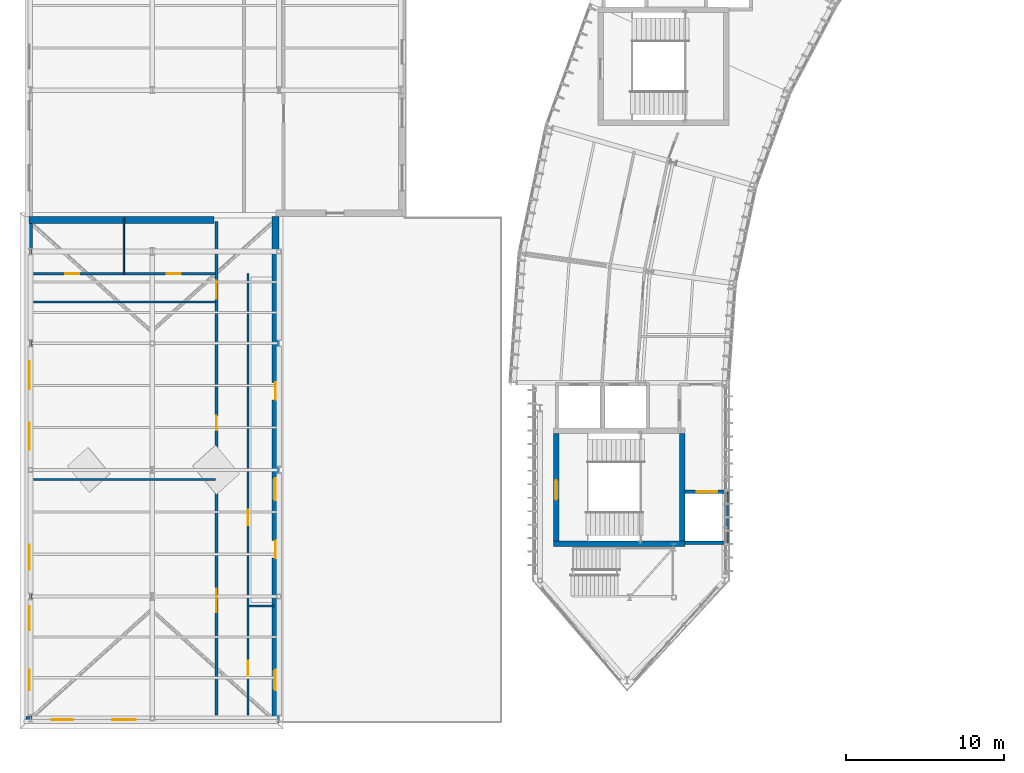
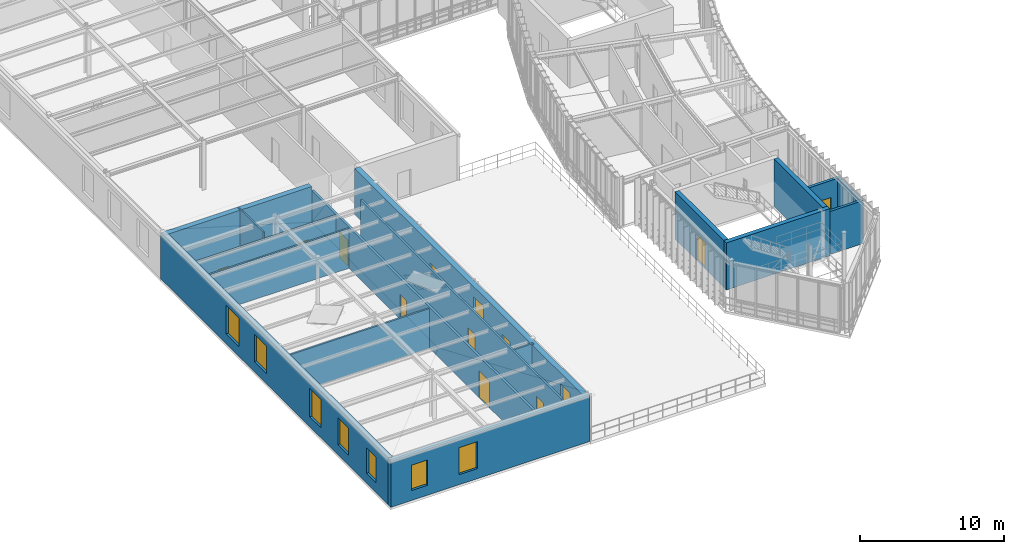
# One storey, part 38 of 52: 17 walls, 11 doors, 9 windows, 20 openings.
"""IFC4 building model written with IfcOpenShell, lengths in metres."""

import ifcopenshell
import ifcopenshell.guid

model = None  # the IFC model being written
_history = None  # IfcOwnerHistory: only IFC2X3 demands one
_inside = {}  # id of a spatial element -> (the spatial element, [elements in it])
_under = {}  # id of a project, library or spatial element -> (it, [spatial elements below it])
_declared = {}  # id of a project -> (the project, [libraries it declares])
_typed = {}  # id of a type object -> (the type object, [elements of that type])
_made_of = {}  # id of a material, layer set ... -> (it, [elements and type objects made of it])


def new_model(schema):
    """Start an empty IFC model of exactly this schema.

    Asked for "IFC4X3", IfcOpenShell would pick the latest addendum, in which some entities
    have other attributes; the version numbers below select the first issue.
    IFC2X3 requires an IfcOwnerHistory on every rooted entity: one is made here for all.
    """
    global model, _history
    if schema == "IFC4X3":
        model = ifcopenshell.file(schema_version=(4, 3, 0, 0))
    else:
        model = ifcopenshell.file(schema=schema)
    _inside.clear()
    _under.clear()
    _declared.clear()
    _typed.clear()
    _made_of.clear()
    _history = None
    if model.schema == "IFC2X3":
        org = make("IfcOrganization", Name="unknown")
        user = make(
            "IfcPersonAndOrganization",
            ThePerson=make("IfcPerson", FamilyName="unknown"),
            TheOrganization=org,
        )
        app = make(
            "IfcApplication",
            ApplicationDeveloper=org,
            Version="unknown",
            ApplicationFullName="unknown",
            ApplicationIdentifier="unknown",
        )
        _history = make(
            "IfcOwnerHistory",
            OwningUser=user,
            OwningApplication=app,
            ChangeAction="ADDED",
            CreationDate=0,
        )
    return model


def make(cls, **values):
    """One entity of the class cls with the attributes given. An attribute that is None is left unset."""
    return model.create_entity(
        cls, **{name: value for name, value in values.items() if value is not None}
    )


def rooted(cls, **values):
    """An entity with a GlobalId (a new one), such as an element, a storey or a relation."""
    return make(cls, GlobalId=ifcopenshell.guid.new(), OwnerHistory=_history, **values)


def si_unit(unit_type, name, prefix=None):
    """IfcSIUnit, for example si_unit("LENGTHUNIT", "METRE", prefix="MILLI")."""
    return make("IfcSIUnit", UnitType=unit_type, Prefix=prefix, Name=name)


def assignment(units):
    """IfcUnitAssignment: the units of a project."""
    return None if units is None else make("IfcUnitAssignment", Units=units)


def point(xyz):
    """IfcCartesianPoint."""
    return None if xyz is None else make("IfcCartesianPoint", Coordinates=xyz)


def direction(xyz):
    """IfcDirection."""
    return None if xyz is None else make("IfcDirection", DirectionRatios=xyz)


def frame(location, z_axis=None, x_axis=None):
    """IfcAxis2Placement3D, a coordinate frame: its origin and axes. An axis left out is left unset."""
    return make(
        "IfcAxis2Placement3D",
        Location=point(location),
        Axis=direction(z_axis),
        RefDirection=direction(x_axis),
    )


def frame_2d(location, x_axis=None):
    """IfcAxis2Placement2D, a coordinate frame in the plane: its origin and x axis."""
    return make(
        "IfcAxis2Placement2D", Location=point(location), RefDirection=direction(x_axis)
    )


def origin():
    """The frame at (0, 0, 0) with its axes left unset."""
    return frame((0.0, 0.0, 0.0))


def place(relative_to, where):
    """IfcLocalPlacement: puts the frame where relative to a parent placement (None: the world)."""
    return make(
        "IfcLocalPlacement", PlacementRelTo=relative_to, RelativePlacement=where
    )


def context(
    kind, dimensions, precision=None, world=None, true_north=None, identifier=None
):
    """IfcGeometricRepresentationContext, for example the 3D "Model" context."""
    return make(
        "IfcGeometricRepresentationContext",
        ContextIdentifier=identifier,
        ContextType=kind,
        CoordinateSpaceDimension=dimensions,
        Precision=precision,
        WorldCoordinateSystem=world,
        TrueNorth=true_north,
    )


def subcontext(parent, identifier, kind, view, scale=None):
    """IfcGeometricRepresentationSubContext, for example "Body" below "Model"."""
    return make(
        "IfcGeometricRepresentationSubContext",
        ContextIdentifier=identifier,
        ContextType=kind,
        ParentContext=parent,
        TargetScale=scale,
        TargetView=view,
    )


def project(units=None, contexts=None):
    """IfcProject with its units and contexts."""
    return rooted(
        "IfcProject",
        Name="project",
        RepresentationContexts=contexts,
        UnitsInContext=assignment(units),
    )


def spatial(cls, under=None, at=None, **own):
    """A site, building, storey or space (cls), placed at a placement, below another one or the project."""
    s = rooted(cls, ObjectPlacement=at, **own)
    if under is not None:
        _under.setdefault(under.id(), (under, []))[1].append(s)
    return s


def profile(cls, at=None, kind="AREA", **sizes):
    """A parametric profile (cls). Its sizes go by their IFC names, for example OverallWidth=200.0."""
    return make(cls, ProfileType=kind, Position=at, **sizes)


def rectangle(**sizes):
    """IfcRectangleProfileDef."""
    return profile("IfcRectangleProfileDef", **sizes)


def extrude(swept, where, along, depth):
    """IfcExtrudedAreaSolid: the profile swept, set in the frame where, extruded along a direction by depth."""
    return make(
        "IfcExtrudedAreaSolid",
        SweptArea=swept,
        Position=where,
        ExtrudedDirection=direction(along),
        Depth=depth,
    )


def shape(context_of_items, identifier, shape_type, items):
    """IfcShapeRepresentation: the items that make up one representation, for example the "Body"."""
    return make(
        "IfcShapeRepresentation",
        ContextOfItems=context_of_items,
        RepresentationIdentifier=identifier,
        RepresentationType=shape_type,
        Items=items,
    )


def material(Name=None, Category=None):
    """IfcMaterial."""
    return make("IfcMaterial", Name=Name, Category=Category)


def layer(
    of_material, thickness, ventilated=None, Name=None, Category=None, Priority=None
):
    """IfcMaterialLayer: one layer of a wall or slab, of a material (None: an air gap)."""
    return make(
        "IfcMaterialLayer",
        Material=of_material,
        LayerThickness=thickness,
        IsVentilated=ventilated,
        Name=Name,
        Category=Category,
        Priority=Priority,
    )


def layer_set(layers, Name=None):
    """IfcMaterialLayerSet."""
    return make("IfcMaterialLayerSet", MaterialLayers=layers, LayerSetName=Name)


def made_of(thing, what):
    """Note that an element or type object is made of a material, layer set ...; save() writes the relation."""
    if what is not None:
        _made_of.setdefault(what.id(), (what, []))[1].append(thing)
    return thing


def type_object(cls, material=None, **own):
    """A type object (cls), such as IfcWallType, which elements share."""
    return made_of(rooted(cls, **own), material)


def element(
    cls,
    number,
    at=None,
    inside=None,
    cuts=None,
    type_object=None,
    material=None,
    context=None,
    identifier="Body",
    shape_type=None,
    held_by="IfcProductDefinitionShape",
    body=None,
    shapes=None,
    **own,
):
    """One element of the class cls, such as IfcWall. Its Tag is "e" and its number.

    at: its placement. inside: the storey or other place that contains it. cuts: it is an
    opening in that element (IfcRelVoidsElement). A single representation is given by context,
    identifier, shape_type and body (its items); several are given by shapes. held_by: the class
    of the entity that holds the representations. save() writes the other relations.
    """
    e = rooted(cls, Tag="e%d" % number, ObjectPlacement=at, **own)
    if body is not None:
        shapes = [shape(context, identifier, shape_type, body)]
    if shapes is not None:
        e.Representation = make(held_by, Representations=shapes)
    if inside is not None:
        _inside.setdefault(inside.id(), (inside, []))[1].append(e)
    if cuts is not None:
        rooted(
            "IfcRelVoidsElement", RelatingBuildingElement=cuts, RelatedOpeningElement=e
        )
    if type_object is not None:
        _typed.setdefault(type_object.id(), (type_object, []))[1].append(e)
    return made_of(e, material)


def fill(opening, filler):
    """IfcRelFillsElement: the door or window that sits in an opening."""
    return rooted(
        "IfcRelFillsElement",
        RelatingOpeningElement=opening,
        RelatedBuildingElement=filler,
    )


def aggregate(whole, parts):
    """IfcRelAggregates: a whole, such as a stair, and the parts it consists of."""
    return rooted("IfcRelAggregates", RelatingObject=whole, RelatedObjects=parts)


def save(model, path):
    """Write the relations noted so far, then the file.

    IfcRelAggregates (storeys below a building ...), IfcRelContainedInSpatialStructure (elements
    in a storey), IfcRelDefinesByType, IfcRelAssociatesMaterial and IfcRelDeclares: one each for
    every whole, place, type object, material and project.
    """
    for whole, parts in _under.values():
        aggregate(whole, parts)
    for where, things in _inside.values():
        rooted(
            "IfcRelContainedInSpatialStructure",
            RelatedElements=things,
            RelatingStructure=where,
        )
    for kind, things in _typed.values():
        rooted("IfcRelDefinesByType", RelatedObjects=things, RelatingType=kind)
    for what, things in _made_of.values():
        rooted("IfcRelAssociatesMaterial", RelatedObjects=things, RelatingMaterial=what)
    for by, libraries in _declared.values():
        rooted("IfcRelDeclares", RelatingContext=by, RelatedDefinitions=libraries)
    model.write(path)


model = new_model("IFC4")

# Units and contexts
model_context = context("Model", 3, precision=1e-05, world=origin(), true_north=direction((0.0, 1.0)))
body_context = subcontext(model_context, "Body", "Model", "MODEL_VIEW")
ifc_project = project(units=[si_unit("LENGTHUNIT", "METRE"), si_unit("AREAUNIT", "SQUARE_METRE"), si_unit("VOLUMEUNIT", "CUBIC_METRE"), si_unit("PLANEANGLEUNIT", "RADIAN"), si_unit("MASSUNIT", "GRAM", prefix="KILO"), si_unit("THERMODYNAMICTEMPERATUREUNIT", "KELVIN"), si_unit("POWERUNIT", "WATT")], contexts=[model_context])

# Site, building, storey
site_placement = place(None, origin())
site = spatial("IfcSite", under=ifc_project, at=site_placement, CompositionType="ELEMENT")
building_placement = place(site_placement, origin())
building = spatial("IfcBuilding", under=site, at=building_placement, Name="Solvatero Civic Police Headquarters", CompositionType="ELEMENT")
storey_placement = place(building_placement, frame((0.0, 0.0, 13.5)))
storey = spatial("IfcBuildingStorey", under=building, at=storey_placement, Name="L03", CompositionType="ELEMENT", Elevation=13.5)

# Wall, openings, windows
ifc_material_1 = material(Name="Cream Limestone Ashlar", Category="masonry")
ifc_layer_1 = layer(ifc_material_1, 0.419921875)
ifc_layer_set_1 = layer_set([ifc_layer_1], Name="Cream Limestone Ashlar")
wall_type_1 = type_object("IfcWallType", Name="WL-EXT-LIME-420", PredefinedType="SOLIDWALL", material=ifc_layer_set_1)
wall_1_placement = place(storey_placement, frame((4.510009765625, 4.719970703125, 0.0), z_axis=(0.0, 0.0, 1.0), x_axis=(1.0, 0.0, 0.0)))
wall_1 = element("IfcWall", 1, at=wall_1_placement, inside=storey, type_object=wall_type_1, Name="Exterior Wall WLE-L03-V4-S", PredefinedType="SOLIDWALL", context=body_context, shape_type="SweptSolid", body=[
    extrude(rectangle(XDim=15.97998046875, YDim=0.419921875, at=frame_2d((7.989990234375, 0.0))), origin(), (0.0, 0.0, 1.0), 3.89990234375),
])
opening_1_placement = place(wall_1_placement, frame((1.64990234375, 0.0, 0.85009765625)))
opening_1 = element("IfcOpeningElement", 2, at=opening_1_placement, cuts=wall_1, Name="Opening W-13", PredefinedType="OPENING", context=body_context, shape_type="SweptSolid", body=[
    extrude(rectangle(XDim=1.300048828125, YDim=2.14990234375, at=frame_2d((0.64990234375, 1.074951171875))), frame((0.0, 0.219970703125, 0.0), z_axis=(0.0, -1.0, 0.0), x_axis=(1.0, 0.0, 0.0)), (0.0, 0.0, 1.0), 0.43994140625),
])
opening_2_placement = place(wall_1_placement, frame((5.449951171875, 0.0, 0.85009765625)))
opening_2 = element("IfcOpeningElement", 3, at=opening_2_placement, cuts=wall_1, Name="Opening W-03", PredefinedType="OPENING", context=body_context, shape_type="SweptSolid", body=[
    extrude(rectangle(XDim=1.5, YDim=2.300048828125, at=frame_2d((0.75, 1.14990234375))), frame((0.0, 0.219970703125, 0.0), z_axis=(0.0, -1.0, 0.0), x_axis=(1.0, 0.0, 0.0)), (0.0, 0.0, 1.0), 0.43994140625),
])
ifc_material_2 = material(Name="Anodized Bronze Aluminium", Category="aluminium")
window_type_1 = type_object("IfcWindowType", Name="WN-CL-130x215", PartitioningType="SINGLE_PANEL", PredefinedType="WINDOW", material=ifc_material_2)
window_1_placement = place(opening_1_placement, origin())
window_1 = element("IfcWindow", 4, at=window_1_placement, inside=storey, type_object=window_type_1, Name="Exterior Window 0040", OverallHeight=2.14990234375, OverallWidth=1.300048828125, PartitioningType="SINGLE_PANEL", PredefinedType="WINDOW", context=body_context, shape_type="SweptSolid", body=[
    extrude(rectangle(XDim=1.300048828125, YDim=2.14990234375, at=frame_2d((0.64990234375, 1.074951171875))), frame((0.0, 0.030029296875, 0.0), z_axis=(0.0, -1.0, 0.0), x_axis=(1.0, 0.0, 0.0)), (0.0, 0.0, 1.0), 0.06005859375),
])
fill(opening_1, window_1)
window_type_2 = type_object("IfcWindowType", Name="WN-CL-150x230", PartitioningType="SINGLE_PANEL", PredefinedType="WINDOW", material=ifc_material_2)
window_2_placement = place(opening_2_placement, origin())
window_2 = element("IfcWindow", 5, at=window_2_placement, inside=storey, type_object=window_type_2, Name="Exterior Window 0041", OverallHeight=2.300048828125, OverallWidth=1.5, PartitioningType="SINGLE_PANEL", PredefinedType="WINDOW", context=body_context, shape_type="SweptSolid", body=[
    extrude(rectangle(XDim=1.5, YDim=2.300048828125, at=frame_2d((0.75, 1.14990234375))), frame((0.0, 0.030029296875, 0.0), z_axis=(0.0, -1.0, 0.0), x_axis=(1.0, 0.0, 0.0)), (0.0, 0.0, 1.0), 0.06005859375),
])
fill(opening_2, window_2)

wall_2_placement = place(storey_placement, frame((4.719970703125, 4.929931640625, 0.0), z_axis=(0.0, 0.0, 1.0), x_axis=(0.0, 1.0, 0.0)))
wall_2 = element("IfcWall", 6, at=wall_2_placement, inside=storey, type_object=wall_type_1, Name="Exterior Wall WLE-L03-V4-W", PredefinedType="SOLIDWALL", context=body_context, shape_type="SweptSolid", body=[
    extrude(rectangle(XDim=31.570068359375, YDim=0.419921875, at=frame_2d((15.78515625, 0.0))), origin(), (0.0, 0.0, 1.0), 3.89990234375),
])
opening_3_placement = place(wall_2_placement, frame((1.64990234375, 0.0, 0.85009765625)))
opening_3 = element("IfcOpeningElement", 7, at=opening_3_placement, cuts=wall_2, Name="Opening W-13", PredefinedType="OPENING", context=body_context, shape_type="SweptSolid", body=[
    extrude(rectangle(XDim=1.300048828125, YDim=2.14990234375, at=frame_2d((0.64990234375, 1.074951171875))), frame((0.0, 0.219970703125, 0.0), z_axis=(0.0, -1.0, 0.0), x_axis=(1.0, 0.0, 0.0)), (0.0, 0.0, 1.0), 0.43994140625),
])
opening_4_placement = place(wall_2_placement, frame((5.449951171875, 0.0, 0.85009765625)))
opening_4 = element("IfcOpeningElement", 8, at=opening_4_placement, cuts=wall_2, Name="Opening W-03", PredefinedType="OPENING", context=body_context, shape_type="SweptSolid", body=[
    extrude(rectangle(XDim=1.5, YDim=2.300048828125, at=frame_2d((0.75, 1.14990234375))), frame((0.0, 0.219970703125, 0.0), z_axis=(0.0, -1.0, 0.0), x_axis=(1.0, 0.0, 0.0)), (0.0, 0.0, 1.0), 0.43994140625),
])
opening_5_placement = place(wall_2_placement, frame((9.25, 0.0, 0.85009765625)))
opening_5 = element("IfcOpeningElement", 9, at=opening_5_placement, cuts=wall_2, Name="Opening W-04", PredefinedType="OPENING", context=body_context, shape_type="SweptSolid", body=[
    extrude(rectangle(XDim=1.60009765625, YDim=2.39990234375, at=frame_2d((0.800048828125, 1.199951171875))), frame((0.0, 0.219970703125, 0.0), z_axis=(0.0, -1.0, 0.0), x_axis=(1.0, 0.0, 0.0)), (0.0, 0.0, 1.0), 0.43994140625),
])
opening_6_placement = place(wall_2_placement, frame((16.85009765625, 0.0, 0.85009765625)))
opening_6 = element("IfcOpeningElement", 10, at=opening_6_placement, cuts=wall_2, Name="Opening W-14", PredefinedType="OPENING", context=body_context, shape_type="SweptSolid", body=[
    extrude(rectangle(XDim=1.699951171875, YDim=2.35009765625, at=frame_2d((0.85009765625, 1.175048828125))), frame((0.0, 0.219970703125, 0.0), z_axis=(0.0, -1.0, 0.0), x_axis=(1.0, 0.0, 0.0)), (0.0, 0.0, 1.0), 0.43994140625),
])
opening_7_placement = place(wall_2_placement, frame((20.64990234375, 0.0, 0.85009765625)))
opening_7 = element("IfcOpeningElement", 11, at=opening_7_placement, cuts=wall_2, Name="Opening W-05", PredefinedType="OPENING", context=body_context, shape_type="SweptSolid", body=[
    extrude(rectangle(XDim=1.800048828125, YDim=2.39990234375, at=frame_2d((0.89990234375, 1.199951171875))), frame((0.0, 0.219970703125, 0.0), z_axis=(0.0, -1.0, 0.0), x_axis=(1.0, 0.0, 0.0)), (0.0, 0.0, 1.0), 0.43994140625),
])
window_3_placement = place(opening_3_placement, origin())
window_3 = element("IfcWindow", 12, at=window_3_placement, inside=storey, type_object=window_type_1, Name="Exterior Window 0042", OverallHeight=2.14990234375, OverallWidth=1.300048828125, PartitioningType="SINGLE_PANEL", PredefinedType="WINDOW", context=body_context, shape_type="SweptSolid", body=[
    extrude(rectangle(XDim=1.300048828125, YDim=2.14990234375, at=frame_2d((0.64990234375, 1.074951171875))), frame((0.0, 0.030029296875, 0.0), z_axis=(0.0, -1.0, 0.0), x_axis=(1.0, 0.0, 0.0)), (0.0, 0.0, 1.0), 0.06005859375),
])
fill(opening_3, window_3)
window_4_placement = place(opening_4_placement, origin())
window_4 = element("IfcWindow", 13, at=window_4_placement, inside=storey, type_object=window_type_2, Name="Exterior Window 0043", OverallHeight=2.300048828125, OverallWidth=1.5, PartitioningType="SINGLE_PANEL", PredefinedType="WINDOW", context=body_context, shape_type="SweptSolid", body=[
    extrude(rectangle(XDim=1.5, YDim=2.300048828125, at=frame_2d((0.75, 1.14990234375))), frame((0.0, 0.030029296875, 0.0), z_axis=(0.0, -1.0, 0.0), x_axis=(1.0, 0.0, 0.0)), (0.0, 0.0, 1.0), 0.06005859375),
])
fill(opening_4, window_4)
window_type_3 = type_object("IfcWindowType", Name="WN-CL-160x240", PartitioningType="SINGLE_PANEL", PredefinedType="WINDOW", material=ifc_material_2)
window_5_placement = place(opening_5_placement, origin())
window_5 = element("IfcWindow", 14, at=window_5_placement, inside=storey, type_object=window_type_3, Name="Exterior Window 0044", OverallHeight=2.39990234375, OverallWidth=1.60009765625, PartitioningType="SINGLE_PANEL", PredefinedType="WINDOW", context=body_context, shape_type="SweptSolid", body=[
    extrude(rectangle(XDim=1.60009765625, YDim=2.39990234375, at=frame_2d((0.800048828125, 1.199951171875))), frame((0.0, 0.030029296875, 0.0), z_axis=(0.0, -1.0, 0.0), x_axis=(1.0, 0.0, 0.0)), (0.0, 0.0, 1.0), 0.06005859375),
])
fill(opening_5, window_5)
window_type_4 = type_object("IfcWindowType", Name="WN-CL-170x235", PartitioningType="SINGLE_PANEL", PredefinedType="WINDOW", material=ifc_material_2)
window_6_placement = place(opening_6_placement, origin())
window_6 = element("IfcWindow", 15, at=window_6_placement, inside=storey, type_object=window_type_4, Name="Exterior Window 0045", OverallHeight=2.35009765625, OverallWidth=1.699951171875, PartitioningType="SINGLE_PANEL", PredefinedType="WINDOW", context=body_context, shape_type="SweptSolid", body=[
    extrude(rectangle(XDim=1.699951171875, YDim=2.35009765625, at=frame_2d((0.85009765625, 1.175048828125))), frame((0.0, 0.030029296875, 0.0), z_axis=(0.0, -1.0, 0.0), x_axis=(1.0, 0.0, 0.0)), (0.0, 0.0, 1.0), 0.06005859375),
])
fill(opening_6, window_6)
window_type_5 = type_object("IfcWindowType", Name="WN-CL-180x240", PartitioningType="SINGLE_PANEL", PredefinedType="WINDOW", material=ifc_material_2)
window_7_placement = place(opening_7_placement, origin())
window_7 = element("IfcWindow", 16, at=window_7_placement, inside=storey, type_object=window_type_5, Name="Exterior Window 0046", OverallHeight=2.39990234375, OverallWidth=1.800048828125, PartitioningType="SINGLE_PANEL", PredefinedType="WINDOW", context=body_context, shape_type="SweptSolid", body=[
    extrude(rectangle(XDim=1.800048828125, YDim=2.39990234375, at=frame_2d((0.89990234375, 1.199951171875))), frame((0.0, 0.030029296875, 0.0), z_axis=(0.0, -1.0, 0.0), x_axis=(1.0, 0.0, 0.0)), (0.0, 0.0, 1.0), 0.06005859375),
])
fill(opening_7, window_7)

# Wall, openings, doors, windows
wall_3_placement = place(storey_placement, frame((20.280029296875, 4.929931640625, 0.0), z_axis=(0.0, 0.0, 1.0), x_axis=(0.0, 1.0, 0.0)))
wall_3 = element("IfcWall", 17, at=wall_3_placement, inside=storey, type_object=wall_type_1, Name="Exterior Wall WLE-L03-V4-E", PredefinedType="SOLIDWALL", context=body_context, shape_type="SweptSolid", body=[
    extrude(rectangle(XDim=31.570068359375, YDim=0.419921875, at=frame_2d((15.78515625, 0.0))), origin(), (0.0, 0.0, 1.0), 3.89990234375),
])
opening_8_placement = place(wall_3_placement, frame((11.10009765625, 0.0, 0.0), z_axis=(0.0, 0.0, 1.0), x_axis=(-1.0, 0.0, 0.0)))
opening_8 = element("IfcOpeningElement", 18, at=opening_8_placement, cuts=wall_3, Name="Opening ED-02", PredefinedType="OPENING", context=body_context, shape_type="SweptSolid", body=[
    extrude(rectangle(XDim=1.10009765625, YDim=2.25, at=frame_2d((0.550048828125, 1.125))), frame((0.0, 0.219970703125, 0.0), z_axis=(0.0, -1.0, 0.0), x_axis=(1.0, 0.0, 0.0)), (0.0, 0.0, 1.0), 0.43994140625),
])
opening_9_placement = place(wall_3_placement, frame((21.10009765625, 0.0, 0.0), z_axis=(0.0, 0.0, 1.0), x_axis=(-1.0, 0.0, 0.0)))
opening_9 = element("IfcOpeningElement", 19, at=opening_9_placement, cuts=wall_3, Name="Opening ED-02", PredefinedType="OPENING", context=body_context, shape_type="SweptSolid", body=[
    extrude(rectangle(XDim=1.10009765625, YDim=2.25, at=frame_2d((0.550048828125, 1.125))), frame((0.0, 0.219970703125, 0.0), z_axis=(0.0, -1.0, 0.0), x_axis=(1.0, 0.0, 0.0)), (0.0, 0.0, 1.0), 0.43994140625),
])
opening_10_placement = place(wall_3_placement, frame((1.64990234375, 0.0, 0.85009765625)))
opening_10 = element("IfcOpeningElement", 20, at=opening_10_placement, cuts=wall_3, Name="Opening W-13", PredefinedType="OPENING", context=body_context, shape_type="SweptSolid", body=[
    extrude(rectangle(XDim=1.300048828125, YDim=2.14990234375, at=frame_2d((0.64990234375, 1.074951171875))), frame((0.0, 0.219970703125, 0.0), z_axis=(0.0, -1.0, 0.0), x_axis=(1.0, 0.0, 0.0)), (0.0, 0.0, 1.0), 0.43994140625),
])
opening_11_placement = place(wall_3_placement, frame((13.64990234375, 0.0, 0.85009765625)))
opening_11 = element("IfcOpeningElement", 21, at=opening_11_placement, cuts=wall_3, Name="Opening W-02", PredefinedType="OPENING", context=body_context, shape_type="SweptSolid", body=[
    extrude(rectangle(XDim=1.39990234375, YDim=2.199951171875, at=frame_2d((0.699951171875, 1.10009765625))), frame((0.0, 0.219970703125, 0.0), z_axis=(0.0, -1.0, 0.0), x_axis=(1.0, 0.0, 0.0)), (0.0, 0.0, 1.0), 0.43994140625),
])
ifc_material_3 = material(Name="Anodized Bronze Aluminium and Laminated Glass", Category="aluminium")
door_type_1 = type_object("IfcDoorType", Name="DR-EXT-110x225", OperationType="NOTDEFINED", PredefinedType="DOOR", material=ifc_material_3)
door_1_placement = place(opening_8_placement, origin())
door_1 = element("IfcDoor", 22, at=door_1_placement, inside=storey, type_object=door_type_1, Name="Exterior Door DR-L03-TRG4-1", OperationType="SINGLE_SWING_LEFT", OverallHeight=2.25, OverallWidth=1.10009765625, PredefinedType="DOOR", context=body_context, shape_type="SweptSolid", body=[
    extrude(rectangle(XDim=1.10009765625, YDim=2.25, at=frame_2d((0.550048828125, 1.125))), frame((0.0, 0.02490234375, 0.0), z_axis=(0.0, -1.0, 0.0), x_axis=(1.0, 0.0, 0.0)), (0.0, 0.0, 1.0), 0.050048828125),
])
fill(opening_8, door_1)
door_2_placement = place(opening_9_placement, origin())
door_2 = element("IfcDoor", 23, at=door_2_placement, inside=storey, type_object=door_type_1, Name="Exterior Door DR-L03-TRG4-2", OperationType="SINGLE_SWING_RIGHT", OverallHeight=2.25, OverallWidth=1.10009765625, PredefinedType="DOOR", context=body_context, shape_type="SweptSolid", body=[
    extrude(rectangle(XDim=1.10009765625, YDim=2.25, at=frame_2d((0.550048828125, 1.125))), frame((0.0, 0.02490234375, 0.0), z_axis=(0.0, -1.0, 0.0), x_axis=(1.0, 0.0, 0.0)), (0.0, 0.0, 1.0), 0.050048828125),
])
fill(opening_9, door_2)
window_8_placement = place(opening_10_placement, origin())
window_8 = element("IfcWindow", 24, at=window_8_placement, inside=storey, type_object=window_type_1, Name="Exterior Window 0047", OverallHeight=2.14990234375, OverallWidth=1.300048828125, PartitioningType="SINGLE_PANEL", PredefinedType="WINDOW", context=body_context, shape_type="SweptSolid", body=[
    extrude(rectangle(XDim=1.300048828125, YDim=2.14990234375, at=frame_2d((0.64990234375, 1.074951171875))), frame((0.0, 0.030029296875, 0.0), z_axis=(0.0, -1.0, 0.0), x_axis=(1.0, 0.0, 0.0)), (0.0, 0.0, 1.0), 0.06005859375),
])
fill(opening_10, window_8)
window_type_6 = type_object("IfcWindowType", Name="WN-CL-140x220", PartitioningType="SINGLE_PANEL", PredefinedType="WINDOW", material=ifc_material_2)
window_9_placement = place(opening_11_placement, origin())
window_9 = element("IfcWindow", 25, at=window_9_placement, inside=storey, type_object=window_type_6, Name="Exterior Window 0048", OverallHeight=2.199951171875, OverallWidth=1.39990234375, PartitioningType="SINGLE_PANEL", PredefinedType="WINDOW", context=body_context, shape_type="SweptSolid", body=[
    extrude(rectangle(XDim=1.39990234375, YDim=2.199951171875, at=frame_2d((0.699951171875, 1.10009765625))), frame((0.0, 0.030029296875, 0.0), z_axis=(0.0, -1.0, 0.0), x_axis=(1.0, 0.0, 0.0)), (0.0, 0.0, 1.0), 0.06005859375),
])
fill(opening_11, window_9)

# Walls
wall_4_placement = place(storey_placement, frame((4.719970703125, 36.2900390625, 0.0), z_axis=(0.0, 0.0, 1.0), x_axis=(1.0, 0.0, 0.0)))
element("IfcWall", 26, at=wall_4_placement, inside=storey, type_object=wall_type_1, Name="Exterior Wall WLE-L03-V4W-N", PredefinedType="SOLIDWALL", context=body_context, shape_type="SweptSolid", body=[
    extrude(rectangle(XDim=11.679931640625, YDim=0.419921875, at=frame_2d((5.83984375, 0.0))), origin(), (0.0, 0.0, 1.0), 3.89990234375),
])
ifc_material_4 = material(Name="Gypsum Acoustic Stud", Category="gypsum")
ifc_layer_2 = layer(ifc_material_4, 0.10009765625)
ifc_layer_set_2 = layer_set([ifc_layer_2], Name="Gypsum Acoustic Stud")
wall_type_2 = type_object("IfcWallType", Name="WL-PTN-100", PredefinedType="PARTITIONING", material=ifc_layer_set_2)
wall_5_placement = place(storey_placement, frame((10.699951171875, 32.89990234375, 0.0), z_axis=(0.0, 0.0, 1.0), x_axis=(0.0, 1.0, 0.0)))
element("IfcWall", 27, at=wall_5_placement, inside=storey, type_object=wall_type_2, Name="Interior Partition WLP-L03-WC-M", PredefinedType="PARTITIONING", context=body_context, shape_type="SweptSolid", body=[
    extrude(rectangle(XDim=3.5, YDim=0.10009765625, at=frame_2d((1.75, 0.0))), origin(), (0.0, 0.0, 1.0), 3.97998046875),
])
ifc_material_5 = material(Name="Gypsum Double-Stud", Category="gypsum")
ifc_layer_3 = layer(ifc_material_5, 0.135009765625)
ifc_layer_set_3 = layer_set([ifc_layer_3], Name="Gypsum Double-Stud")
wall_type_3 = type_object("IfcWallType", Name="WL-PTN-135", PredefinedType="PARTITIONING", material=ifc_layer_set_3)
wall_6_placement = place(storey_placement, frame((5.0, 19.89990234375, 0.0), z_axis=(0.0, 0.0, 1.0), x_axis=(1.0, 0.0, 0.0)))
element("IfcWall", 28, at=wall_6_placement, inside=storey, type_object=wall_type_3, Name="Interior Partition WLP-L03-V4-H1", PredefinedType="PARTITIONING", context=body_context, shape_type="SweptSolid", body=[
    extrude(rectangle(XDim=11.5, YDim=0.135009765625, at=frame_2d((5.75, 0.0))), origin(), (0.0, 0.0, 1.0), 3.3779296875),
])
wall_7_placement = place(storey_placement, frame((18.60009765625, 11.89990234375, 0.0), z_axis=(0.0, 0.0, 1.0), x_axis=(1.0, 0.0, 0.0)))
element("IfcWall", 29, at=wall_7_placement, inside=storey, type_object=wall_type_3, Name="Interior Partition WLP-L03-V4-H2", PredefinedType="PARTITIONING", context=body_context, shape_type="SweptSolid", body=[
    extrude(rectangle(XDim=1.599853515625, YDim=0.135009765625, at=frame_2d((0.7998046875, 0.0))), origin(), (0.0, 0.0, 1.0), 3.97998046875),
])
wall_8_placement = place(storey_placement, frame((5.0, 31.10009765625, 0.0), z_axis=(0.0, 0.0, 1.0), x_axis=(1.0, 0.0, 0.0)))
element("IfcWall", 30, at=wall_8_placement, inside=storey, type_object=wall_type_3, Name="Interior Partition WLP-L03-WC-SPUR", PredefinedType="PARTITIONING", context=body_context, shape_type="SweptSolid", body=[
    extrude(rectangle(XDim=11.5, YDim=0.135009765625, at=frame_2d((5.75, 0.0))), origin(), (0.0, 0.0, 1.0), 3.3779296875),
])

# Wall, openings, doors
ifc_layer_4 = layer(ifc_material_4, 0.14990234375)
ifc_layer_set_4 = layer_set([ifc_layer_4], Name="Gypsum Acoustic Stud")
wall_type_4 = type_object("IfcWallType", Name="WL-PTN-150", PredefinedType="PARTITIONING", material=ifc_layer_set_4)
wall_9_placement = place(storey_placement, frame((18.550048828125, 5.0, 0.0), z_axis=(0.0, 0.0, 1.0), x_axis=(0.0, 1.0, 0.0)))
wall_9 = element("IfcWall", 31, at=wall_9_placement, inside=storey, type_object=wall_type_4, Name="Interior Partition WLP-L03-V4-CE", PredefinedType="PARTITIONING", context=body_context, shape_type="SweptSolid", body=[
    extrude(rectangle(XDim=27.89990234375, YDim=0.14990234375, at=frame_2d((13.949951171875, 0.0))), origin(), (0.0, 0.0, 1.0), 3.97998046875),
])
opening_12_placement = place(wall_9_placement, frame((2.5, 0.0, 0.0)))
opening_12 = element("IfcOpeningElement", 32, at=opening_12_placement, cuts=wall_9, Name="Opening ID-04", PredefinedType="OPENING", context=body_context, shape_type="SweptSolid", body=[
    extrude(rectangle(XDim=0.949951171875, YDim=2.14990234375, at=frame_2d((0.47509765625, 1.074951171875))), frame((0.0, 0.0849609375, 0.0), z_axis=(0.0, -1.0, 0.0), x_axis=(1.0, 0.0, 0.0)), (0.0, 0.0, 1.0), 0.169921875),
])
opening_13_placement = place(wall_9_placement, frame((12.0, 0.0, 0.0)))
opening_13 = element("IfcOpeningElement", 33, at=opening_13_placement, cuts=wall_9, Name="Opening ID-05", PredefinedType="OPENING", context=body_context, shape_type="SweptSolid", body=[
    extrude(rectangle(XDim=0.97998046875, YDim=2.159912109375, at=frame_2d((0.489990234375, 1.080078125))), frame((0.0, 0.0849609375, 0.0), z_axis=(0.0, -1.0, 0.0), x_axis=(1.0, 0.0, 0.0)), (0.0, 0.0, 1.0), 0.169921875),
])
ifc_material_6 = material(Name="Acoustic Oak Timber Veneer", Category="wood")
door_type_2 = type_object("IfcDoorType", Name="DR-ACC-095x215", OperationType="NOTDEFINED", PredefinedType="DOOR", material=ifc_material_6)
door_3_placement = place(opening_12_placement, origin())
door_3 = element("IfcDoor", 34, at=door_3_placement, inside=storey, type_object=door_type_2, Name="Interior Door DR-L03-V4-WCA", OperationType="SINGLE_SWING_LEFT", OverallHeight=2.14990234375, OverallWidth=0.949951171875, PredefinedType="DOOR", context=body_context, shape_type="SweptSolid", body=[
    extrude(rectangle(XDim=0.949951171875, YDim=2.14990234375, at=frame_2d((0.47509765625, 1.074951171875))), frame((0.0, 0.02490234375, 0.0), z_axis=(0.0, -1.0, 0.0), x_axis=(1.0, 0.0, 0.0)), (0.0, 0.0, 1.0), 0.050048828125),
])
fill(opening_12, door_3)
ifc_material_7 = material(Name="Powder-Coated Steel", Category="steel")
door_type_3 = type_object("IfcDoorType", Name="DR-OFF-098x216", OperationType="NOTDEFINED", PredefinedType="DOOR", material=ifc_material_7)
door_4_placement = place(opening_13_placement, origin())
door_4 = element("IfcDoor", 35, at=door_4_placement, inside=storey, type_object=door_type_3, Name="Interior Door DR-L03-TLOUNGE", OperationType="SINGLE_SWING_RIGHT", OverallHeight=2.159912109375, OverallWidth=0.97998046875, PredefinedType="DOOR", context=body_context, shape_type="SweptSolid", body=[
    extrude(rectangle(XDim=0.97998046875, YDim=2.159912109375, at=frame_2d((0.489990234375, 1.080078125))), frame((0.0, 0.02490234375, 0.0), z_axis=(0.0, -1.0, 0.0), x_axis=(1.0, 0.0, 0.0)), (0.0, 0.0, 1.0), 0.050048828125),
])
fill(opening_13, door_4)

wall_10_placement = place(storey_placement, frame((5.0, 32.89990234375, 0.0), z_axis=(0.0, 0.0, 1.0), x_axis=(1.0, 0.0, 0.0)))
wall_10 = element("IfcWall", 36, at=wall_10_placement, inside=storey, type_object=wall_type_4, Name="Interior Partition WLP-L03-WC-S", PredefinedType="PARTITIONING", context=body_context, shape_type="SweptSolid", body=[
    extrude(rectangle(XDim=11.5, YDim=0.14990234375, at=frame_2d((5.75, 0.0))), origin(), (0.0, 0.0, 1.0), 3.3779296875),
])
opening_14_placement = place(wall_10_placement, frame((2.0, 0.0, 0.0)))
opening_14 = element("IfcOpeningElement", 37, at=opening_14_placement, cuts=wall_10, Name="Opening ID-01", PredefinedType="OPENING", context=body_context, shape_type="SweptSolid", body=[
    extrude(rectangle(XDim=0.8798828125, YDim=2.10009765625, at=frame_2d((0.43994140625, 1.050048828125))), frame((0.0, 0.0849609375, 0.0), z_axis=(0.0, -1.0, 0.0), x_axis=(1.0, 0.0, 0.0)), (0.0, 0.0, 1.0), 0.169921875),
])
opening_15_placement = place(wall_10_placement, frame((8.39990234375, 0.0, 0.0)))
opening_15 = element("IfcOpeningElement", 38, at=opening_15_placement, cuts=wall_10, Name="Opening ID-02", PredefinedType="OPENING", context=body_context, shape_type="SweptSolid", body=[
    extrude(rectangle(XDim=0.89990234375, YDim=2.10009765625, at=frame_2d((0.449951171875, 1.050048828125))), frame((0.0, 0.0849609375, 0.0), z_axis=(0.0, -1.0, 0.0), x_axis=(1.0, 0.0, 0.0)), (0.0, 0.0, 1.0), 0.169921875),
])
door_type_4 = type_object("IfcDoorType", Name="DR-OFF-088x210", OperationType="NOTDEFINED", PredefinedType="DOOR", material=ifc_material_6)
door_5_placement = place(opening_14_placement, origin())
door_5 = element("IfcDoor", 39, at=door_5_placement, inside=storey, type_object=door_type_4, Name="Interior Door DR-L03-V4-WCM", OperationType="SINGLE_SWING_LEFT", OverallHeight=2.10009765625, OverallWidth=0.8798828125, PredefinedType="DOOR", context=body_context, shape_type="SweptSolid", body=[
    extrude(rectangle(XDim=0.8798828125, YDim=2.10009765625, at=frame_2d((0.43994140625, 1.050048828125))), frame((0.0, 0.02490234375, 0.0), z_axis=(0.0, -1.0, 0.0), x_axis=(1.0, 0.0, 0.0)), (0.0, 0.0, 1.0), 0.050048828125),
])
fill(opening_14, door_5)
door_type_5 = type_object("IfcDoorType", Name="DR-OFF-090x210", OperationType="NOTDEFINED", PredefinedType="DOOR", material=ifc_material_6)
door_6_placement = place(opening_15_placement, origin())
door_6 = element("IfcDoor", 40, at=door_6_placement, inside=storey, type_object=door_type_5, Name="Interior Door DR-L03-V4-WCF", OperationType="SINGLE_SWING_RIGHT", OverallHeight=2.10009765625, OverallWidth=0.89990234375, PredefinedType="DOOR", context=body_context, shape_type="SweptSolid", body=[
    extrude(rectangle(XDim=0.89990234375, YDim=2.10009765625, at=frame_2d((0.449951171875, 1.050048828125))), frame((0.0, 0.02490234375, 0.0), z_axis=(0.0, -1.0, 0.0), x_axis=(1.0, 0.0, 0.0)), (0.0, 0.0, 1.0), 0.050048828125),
])
fill(opening_15, door_6)

ifc_material_8 = material(Name="Concrete Blockwork", Category="masonry")
ifc_layer_5 = layer(ifc_material_8, 0.179931640625)
ifc_layer_set_5 = layer_set([ifc_layer_5], Name="Concrete Blockwork")
wall_type_5 = type_object("IfcWallType", Name="WL-PTN-180", PredefinedType="PARTITIONING", material=ifc_layer_set_5)
wall_11_placement = place(storey_placement, frame((16.550048828125, 5.0, 0.0), z_axis=(0.0, 0.0, 1.0), x_axis=(0.0, 1.0, 0.0)))
wall_11 = element("IfcWall", 41, at=wall_11_placement, inside=storey, type_object=wall_type_5, Name="Interior Partition WLP-L03-V4-CW", PredefinedType="PARTITIONING", context=body_context, shape_type="SweptSolid", body=[
    extrude(rectangle(XDim=31.199951171875, YDim=0.179931640625, at=frame_2d((15.60009765625, 0.0))), origin(), (0.0, 0.0, 1.0), 3.47802734375),
])
opening_16_placement = place(wall_11_placement, frame((6.5, 0.0, 0.0)))
opening_16 = element("IfcOpeningElement", 42, at=opening_16_placement, cuts=wall_11, Name="Opening ID-13", PredefinedType="OPENING", context=body_context, shape_type="SweptSolid", body=[
    extrude(rectangle(XDim=1.47998046875, YDim=2.280029296875, at=frame_2d((0.739990234375, 1.14013671875))), frame((0.0, 0.099853515625, 0.0), z_axis=(0.0, -1.0, 0.0), x_axis=(1.0, 0.0, 0.0)), (0.0, 0.0, 1.0), 0.199951171875),
])
opening_17_placement = place(wall_11_placement, frame((18.0, 0.0, 0.0)))
opening_17 = element("IfcOpeningElement", 43, at=opening_17_placement, cuts=wall_11, Name="Opening ID-03", PredefinedType="OPENING", context=body_context, shape_type="SweptSolid", body=[
    extrude(rectangle(XDim=0.919921875, YDim=2.1201171875, at=frame_2d((0.4599609375, 1.06005859375))), frame((0.0, 0.099853515625, 0.0), z_axis=(0.0, -1.0, 0.0), x_axis=(1.0, 0.0, 0.0)), (0.0, 0.0, 1.0), 0.199951171875),
])
opening_18_placement = place(wall_11_placement, frame((26.300048828125, 0.0, 0.0)))
opening_18 = element("IfcOpeningElement", 44, at=opening_18_placement, cuts=wall_11, Name="Opening ID-10", PredefinedType="OPENING", context=body_context, shape_type="SweptSolid", body=[
    extrude(rectangle(XDim=1.14990234375, YDim=2.199951171875, at=frame_2d((0.574951171875, 1.10009765625))), frame((0.0, 0.099853515625, 0.0), z_axis=(0.0, -1.0, 0.0), x_axis=(1.0, 0.0, 0.0)), (0.0, 0.0, 1.0), 0.199951171875),
])
door_type_6 = type_object("IfcDoorType", Name="DR-COR-115x220", OperationType="NOTDEFINED", PredefinedType="DOOR", material=ifc_material_7)
door_7_placement = place(opening_18_placement, origin())
door_7 = element("IfcDoor", 45, at=door_7_placement, inside=storey, type_object=door_type_6, Name="Interior Door DR-L03-WCSPUR", OperationType="SINGLE_SWING_RIGHT", OverallHeight=2.199951171875, OverallWidth=1.14990234375, PredefinedType="DOOR", context=body_context, shape_type="SweptSolid", body=[
    extrude(rectangle(XDim=1.14990234375, YDim=2.199951171875, at=frame_2d((0.574951171875, 1.10009765625))), frame((0.0, 0.02490234375, 0.0), z_axis=(0.0, -1.0, 0.0), x_axis=(1.0, 0.0, 0.0)), (0.0, 0.0, 1.0), 0.050048828125),
])
fill(opening_18, door_7)
door_type_7 = type_object("IfcDoorType", Name="DR-DBL-148x228", OperationType="NOTDEFINED", PredefinedType="DOOR", material=ifc_material_7)
door_8_placement = place(opening_16_placement, origin())
door_8 = element("IfcDoor", 46, at=door_8_placement, inside=storey, type_object=door_type_7, Name="Interior Door DR-L03-TLNG", OperationType="DOUBLE_DOOR_SINGLE_SWING", OverallHeight=2.280029296875, OverallWidth=1.47998046875, PredefinedType="DOOR", context=body_context, shape_type="SweptSolid", body=[
    extrude(rectangle(XDim=1.47998046875, YDim=2.280029296875, at=frame_2d((0.739990234375, 1.14013671875))), frame((0.0, 0.02490234375, 0.0), z_axis=(0.0, -1.0, 0.0), x_axis=(1.0, 0.0, 0.0)), (0.0, 0.0, 1.0), 0.050048828125),
])
fill(opening_16, door_8)
door_type_8 = type_object("IfcDoorType", Name="DR-OFF-092x212", OperationType="NOTDEFINED", PredefinedType="DOOR", material=ifc_material_6)
door_9_placement = place(opening_17_placement, origin())
door_9 = element("IfcDoor", 47, at=door_9_placement, inside=storey, type_object=door_type_8, Name="Interior Door DR-L03-V4-CYB", OperationType="SINGLE_SWING_LEFT", OverallHeight=2.1201171875, OverallWidth=0.919921875, PredefinedType="DOOR", context=body_context, shape_type="SweptSolid", body=[
    extrude(rectangle(XDim=0.919921875, YDim=2.1201171875, at=frame_2d((0.4599609375, 1.06005859375))), frame((0.0, 0.02490234375, 0.0), z_axis=(0.0, -1.0, 0.0), x_axis=(1.0, 0.0, 0.0)), (0.0, 0.0, 1.0), 0.050048828125),
])
fill(opening_17, door_9)

# Wall
ifc_material_9 = material(Name="Concrete C35/45", Category="concrete")
ifc_layer_6 = layer(ifc_material_9, 0.219970703125)
ifc_layer_set_6 = layer_set([ifc_layer_6], Name="Concrete C35/45")
wall_type_6 = type_object("IfcWallType", Name="WL-SHF-220", PredefinedType="PARTITIONING", material=ifc_layer_set_6)
wall_12_placement = place(storey_placement, frame((46.159912109375, 15.889892578125, 0.0), z_axis=(0.0, 0.0, 1.0), x_axis=(1.0, 0.0, 0.0)))
element("IfcWall", 48, at=wall_12_placement, inside=storey, type_object=wall_type_6, Name="Lift Shaft Wall WLS-FL-01-L03-S", PredefinedType="PARTITIONING", context=body_context, shape_type="SweptSolid", body=[
    extrude(rectangle(XDim=2.760009765625, YDim=0.219970703125, at=frame_2d((1.3798828125, 0.0))), origin(), (0.0, 0.0, 1.0), 3.637939453125),
])

# Wall, opening, door
wall_13_placement = place(storey_placement, frame((46.159912109375, 19.110107421875, 0.0), z_axis=(0.0, 0.0, 1.0), x_axis=(1.0, 0.0, 0.0)))
wall_13 = element("IfcWall", 49, at=wall_13_placement, inside=storey, type_object=wall_type_6, Name="Lift Shaft Wall WLS-FL-01-L03-N", PredefinedType="PARTITIONING", context=body_context, shape_type="SweptSolid", body=[
    extrude(rectangle(XDim=2.760009765625, YDim=0.219970703125, at=frame_2d((1.3798828125, 0.0))), origin(), (0.0, 0.0, 1.0), 3.637939453125),
])
opening_19_placement = place(wall_13_placement, frame((0.72998046875, 0.0, 0.0)))
opening_19 = element("IfcOpeningElement", 50, at=opening_19_placement, cuts=wall_13, Name="Opening LD-02", PredefinedType="OPENING", context=body_context, shape_type="SweptSolid", body=[
    extrude(rectangle(XDim=1.300048828125, YDim=2.199951171875, at=frame_2d((0.64990234375, 1.10009765625))), frame((0.0, 0.119873046875, 0.0), z_axis=(0.0, -1.0, 0.0), x_axis=(1.0, 0.0, 0.0)), (0.0, 0.0, 1.0), 0.239990234375),
])
ifc_material_10 = material(Name="Stainless Steel Grade 316", Category="steel")
door_type_9 = type_object("IfcDoorType", Name="DR-LFT-130x220", OperationType="DOUBLE_DOOR_SLIDING", PredefinedType="DOOR", material=ifc_material_10)
door_10_placement = place(opening_19_placement, origin())
door_10 = element("IfcDoor", 51, at=door_10_placement, inside=storey, type_object=door_type_9, Name="Interior Door DR-LFT-FL-01-L03", OperationType="DOUBLE_DOOR_SLIDING", OverallHeight=2.199951171875, OverallWidth=1.300048828125, PredefinedType="DOOR", context=body_context, shape_type="SweptSolid", body=[
    extrude(rectangle(XDim=1.300048828125, YDim=2.199951171875, at=frame_2d((0.64990234375, 1.10009765625))), frame((0.0, 0.02490234375, 0.0), z_axis=(0.0, -1.0, 0.0), x_axis=(1.0, 0.0, 0.0)), (0.0, 0.0, 1.0), 0.050048828125),
])
fill(opening_19, door_10)

# Walls
wall_14_placement = place(storey_placement, frame((48.81005859375, 16.0, 0.0), z_axis=(0.0, 0.0, 1.0), x_axis=(0.0, 1.0, 0.0)))
element("IfcWall", 52, at=wall_14_placement, inside=storey, type_object=wall_type_6, Name="Lift Shaft Wall WLS-FL-01-L03-E", PredefinedType="PARTITIONING", context=body_context, shape_type="SweptSolid", body=[
    extrude(rectangle(XDim=3.0, YDim=0.219970703125, at=frame_2d((1.5, 0.0))), origin(), (0.0, 0.0, 1.0), 3.639892578125),
])
ifc_material_11 = material(Name="Concrete C40/50", Category="concrete")
ifc_layer_7 = layer(ifc_material_11, 0.35009765625)
ifc_layer_set_7 = layer_set([ifc_layer_7], Name="Concrete C40/50")
wall_type_7 = type_object("IfcWallType", Name="WL-SHR-350", PredefinedType="SHEAR", material=ifc_layer_set_7)
wall_15_placement = place(storey_placement, frame((37.85009765625, 15.824951171875, 0.0), z_axis=(0.0, 0.0, 1.0), x_axis=(1.0, 0.0, 0.0)))
element("IfcWall", 53, at=wall_15_placement, inside=storey, type_object=wall_type_7, Name="Core C1 Shear Wall S L03", PredefinedType="SHEAR", context=body_context, shape_type="SweptSolid", body=[
    extrude(rectangle(XDim=8.2998046875, YDim=0.35009765625, at=frame_2d((4.14990234375, 0.0))), origin(), (0.0, 0.0, 1.0), 4.0),
])

# Wall, opening, door
wall_16_placement = place(storey_placement, frame((38.02490234375, 16.0, 0.0), z_axis=(0.0, 0.0, 1.0), x_axis=(0.0, 1.0, 0.0)))
wall_16 = element("IfcWall", 54, at=wall_16_placement, inside=storey, type_object=wall_type_7, Name="Core C1 Shear Wall W L03", PredefinedType="SHEAR", context=body_context, shape_type="SweptSolid", body=[
    extrude(rectangle(XDim=6.800048828125, YDim=0.35009765625, at=frame_2d((3.39990234375, 0.0))), origin(), (0.0, 0.0, 1.0), 4.0),
])
opening_20_placement = place(wall_16_placement, frame((2.60009765625, 0.0, 0.0)))
opening_20 = element("IfcOpeningElement", 55, at=opening_20_placement, cuts=wall_16, Name="Opening FD-01", PredefinedType="OPENING", context=body_context, shape_type="SweptSolid", body=[
    extrude(rectangle(XDim=1.25, YDim=2.199951171875, at=frame_2d((0.625, 1.10009765625))), frame((0.0, 0.18505859375, 0.0), z_axis=(0.0, -1.0, 0.0), x_axis=(1.0, 0.0, 0.0)), (0.0, 0.0, 1.0), 0.3701171875),
])
door_type_10 = type_object("IfcDoorType", Name="DR-STR-125x220", OperationType="NOTDEFINED", PredefinedType="DOOR", material=ifc_material_7)
door_11_placement = place(opening_20_placement, origin())
door_11 = element("IfcDoor", 56, at=door_11_placement, inside=storey, type_object=door_type_10, Name="Interior Door DR-STR-C1-L03", OperationType="SINGLE_SWING_LEFT", OverallHeight=2.199951171875, OverallWidth=1.25, PredefinedType="DOOR", context=body_context, shape_type="SweptSolid", body=[
    extrude(rectangle(XDim=1.25, YDim=2.199951171875, at=frame_2d((0.625, 1.10009765625))), frame((0.0, 0.02490234375, 0.0), z_axis=(0.0, -1.0, 0.0), x_axis=(1.0, 0.0, 0.0)), (0.0, 0.0, 1.0), 0.050048828125),
])
fill(opening_20, door_11)

# Wall
wall_17_placement = place(storey_placement, frame((45.97509765625, 16.0, 0.0), z_axis=(0.0, 0.0, 1.0), x_axis=(0.0, 1.0, 0.0)))
element("IfcWall", 57, at=wall_17_placement, inside=storey, type_object=wall_type_7, Name="Core C1 Shear Wall E L03", PredefinedType="SHEAR", context=body_context, shape_type="SweptSolid", body=[
    extrude(rectangle(XDim=6.800048828125, YDim=0.35009765625, at=frame_2d((3.39990234375, 0.0))), origin(), (0.0, 0.0, 1.0), 4.0),
])

save(model, "model.ifc")
